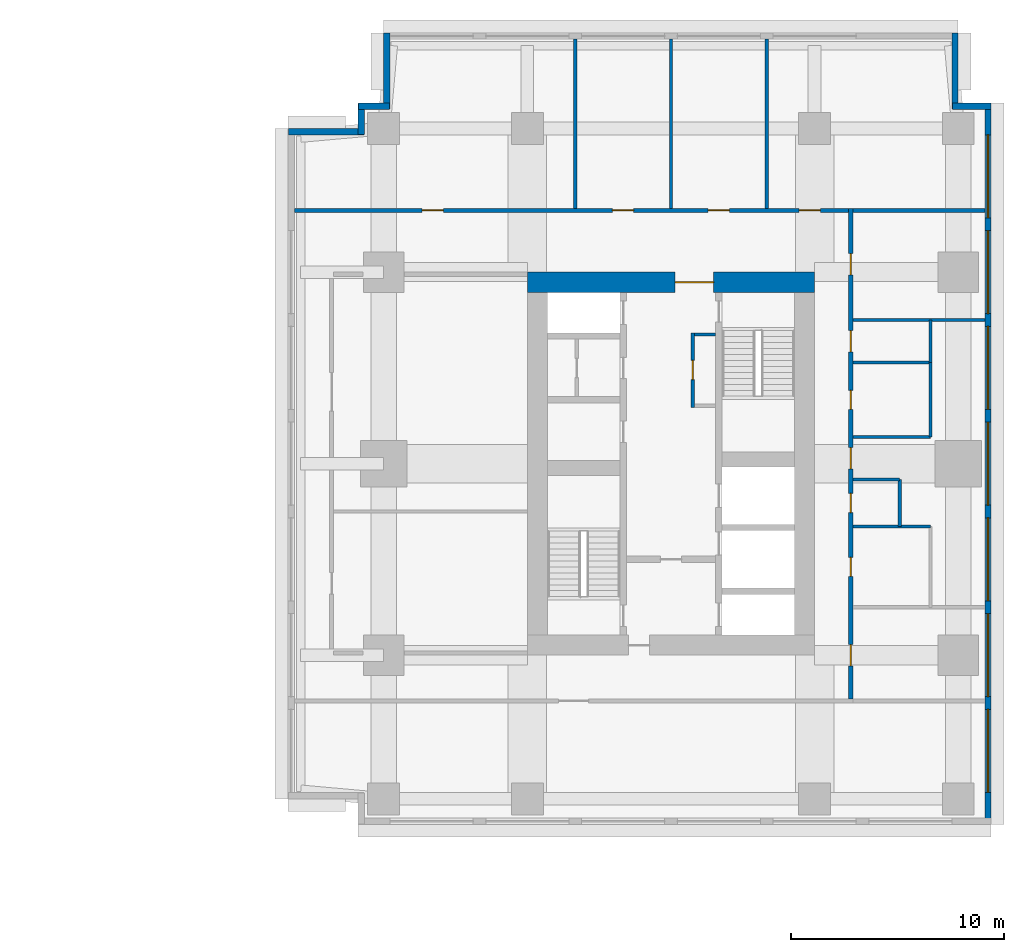
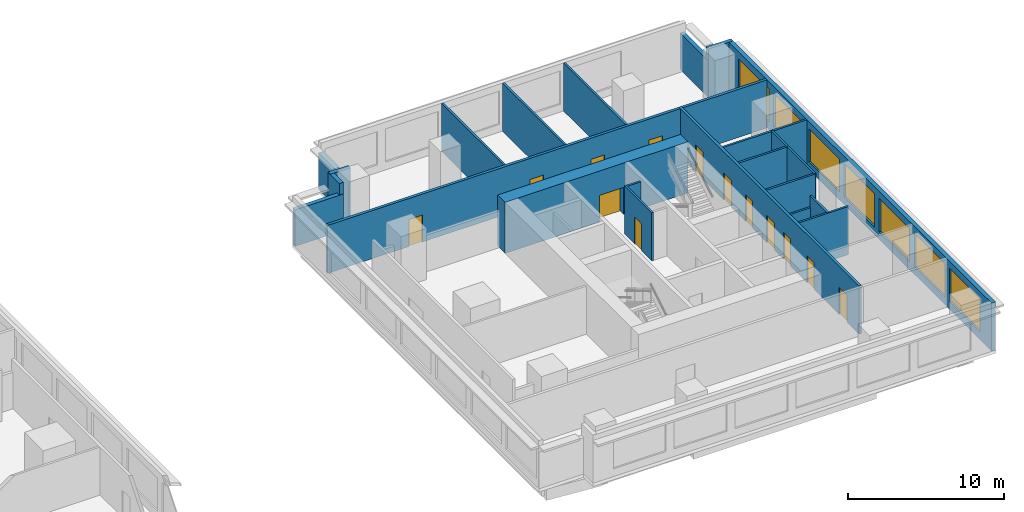
# One storey, part 7 of 10: 24 walls, 13 doors, 7 windows, 20 openings.
"""IFC4 building model written with IfcOpenShell, lengths in metres."""

from ifc_helpers import new_model, si_unit, direction, frame, frame_2d, origin, place, context, subcontext, project, spatial, rectangle, extrude, material, layer, layer_set, type_object, element, fill, save


model = new_model("IFC4")

# Units and contexts
model_context = context("Model", 3, precision=1e-05, world=origin(), true_north=direction((0.0, 1.0)))
body_context = subcontext(model_context, "Body", "Model", "MODEL_VIEW")
ifc_project = project(units=[si_unit("LENGTHUNIT", "METRE"), si_unit("AREAUNIT", "SQUARE_METRE"), si_unit("VOLUMEUNIT", "CUBIC_METRE"), si_unit("PLANEANGLEUNIT", "RADIAN"), si_unit("MASSUNIT", "GRAM", prefix="KILO")], contexts=[model_context])

# Site, building, storey
site_placement = place(None, origin())
site = spatial("IfcSite", under=ifc_project, at=site_placement, CompositionType="ELEMENT")
building_placement = place(site_placement, origin())
building = spatial("IfcBuilding", under=site, at=building_placement, Name="Namib Vertical Campus", CompositionType="ELEMENT")
storey_placement = place(building_placement, frame((0.0, 0.0, 161.0)))
storey = spatial("IfcBuildingStorey", under=building, at=storey_placement, Name="L38", CompositionType="ELEMENT", Elevation=161.0)

# Wall, opening, door
ifc_material_1 = material(Name="Concrete C60/75", Category="concrete")
ifc_layer_1 = layer(ifc_material_1, 0.949951171875)
ifc_layer_set_1 = layer_set([ifc_layer_1], Name="Concrete C60/75")
wall_type_1 = type_object("IfcWallType", Name="Core wall 950", PredefinedType="SHEAR", material=ifc_layer_set_1)
wall_1_placement = place(storey_placement, frame((87.75, 28.77490234375, 0.0), z_axis=(0.0, 0.0, 1.0), x_axis=(-1.0, 0.0, 0.0)))
wall_1 = element("IfcWall", 1, at=wall_1_placement, inside=storey, type_object=wall_type_1, Name="Core wall B L38 3", PredefinedType="SHEAR", context=body_context, shape_type="SweptSolid", body=[
    extrude(rectangle(XDim=13.5, YDim=0.949951171875, at=frame_2d((6.75, 0.0))), origin(), (0.0, 0.0, 1.0), 4.0),
])
opening_1_placement = place(wall_1_placement, frame((4.75, 0.0, 0.0)))
opening_1 = element("IfcOpeningElement", 2, at=opening_1_placement, cuts=wall_1, Name="Opening FD2", PredefinedType="OPENING", context=body_context, shape_type="SweptSolid", body=[
    extrude(rectangle(XDim=1.800048828125, YDim=2.10009765625, at=frame_2d((0.89990234375, 1.050048828125))), frame((0.0, 0.48486328125, 0.0), z_axis=(0.0, -1.0, 0.0), x_axis=(1.0, 0.0, 0.0)), (0.0, 0.0, 1.0), 0.969970703125),
])
ifc_material_2 = material(Name="Steel fire door", Category="steel")
door_type_1 = type_object("IfcDoorType", Name="Fire door double 1800x2100", OperationType="DOUBLE_DOOR_SINGLE_SWING", PredefinedType="DOOR", material=ifc_material_2)
door_1_placement = place(opening_1_placement, origin())
door_1 = element("IfcDoor", 3, at=door_1_placement, inside=storey, type_object=door_type_1, Name="Lift lobby door FD2 B L38", OperationType="DOUBLE_DOOR_SINGLE_SWING", OverallHeight=2.10009765625, OverallWidth=1.800048828125, PredefinedType="DOOR", context=body_context, shape_type="SweptSolid", body=[
    extrude(rectangle(XDim=1.800048828125, YDim=2.10009765625, at=frame_2d((0.89990234375, 1.050048828125))), frame((0.0, 0.02490234375, 0.0), z_axis=(0.0, -1.0, 0.0), x_axis=(1.0, 0.0, 0.0)), (0.0, 0.0, 1.0), 0.050048828125),
])
fill(opening_1, door_1)

# Wall, openings, doors
ifc_material_3 = material(Name="Concrete masonry", Category="masonry")
ifc_layer_2 = layer(ifc_material_3, 0.199951171875)
ifc_layer_set_2 = layer_set([ifc_layer_2], Name="Corridor wall 200")
wall_type_2 = type_object("IfcWallType", Name="Corridor wall 200", PredefinedType="SOLIDWALL", material=ifc_layer_set_2)
wall_2_placement = place(storey_placement, frame((89.449951171875, 9.199951171875, 0.0), z_axis=(0.0, 0.0, 1.0), x_axis=(0.0, 1.0, 0.0)))
wall_2 = element("IfcWall", 4, at=wall_2_placement, inside=storey, type_object=wall_type_2, Name="Corridor wall B L38 CE", PredefinedType="SOLIDWALL", context=body_context, shape_type="SweptSolid", body=[
    extrude(rectangle(XDim=23.050048828125, YDim=0.199951171875, at=frame_2d((11.52490234375, 0.0))), origin(), (0.0, 0.0, 1.0), 3.75),
])
opening_2_placement = place(wall_2_placement, frame((1.550048828125, 0.0, 0.0)))
opening_2 = element("IfcOpeningElement", 5, at=opening_2_placement, cuts=wall_2, Name="Opening CD1", PredefinedType="OPENING", context=body_context, shape_type="SweptSolid", body=[
    extrude(rectangle(XDim=1.0, YDim=2.10009765625, at=frame_2d((0.5, 1.050048828125))), frame((0.0, 0.10986328125, 0.0), z_axis=(0.0, -1.0, 0.0), x_axis=(1.0, 0.0, 0.0)), (0.0, 0.0, 1.0), 0.219970703125),
])
opening_3_placement = place(wall_2_placement, frame((5.75, 0.0, 0.0)))
opening_3 = element("IfcOpeningElement", 6, at=opening_3_placement, cuts=wall_2, Name="Opening CD3", PredefinedType="OPENING", context=body_context, shape_type="SweptSolid", body=[
    extrude(rectangle(XDim=0.89990234375, YDim=2.10009765625, at=frame_2d((0.449951171875, 1.050048828125))), frame((0.0, 0.10986328125, 0.0), z_axis=(0.0, -1.0, 0.0), x_axis=(1.0, 0.0, 0.0)), (0.0, 0.0, 1.0), 0.219970703125),
])
opening_4_placement = place(wall_2_placement, frame((8.75, 0.0, 0.0)))
opening_4 = element("IfcOpeningElement", 7, at=opening_4_placement, cuts=wall_2, Name="Opening CD3", PredefinedType="OPENING", context=body_context, shape_type="SweptSolid", body=[
    extrude(rectangle(XDim=0.89990234375, YDim=2.10009765625, at=frame_2d((0.449951171875, 1.050048828125))), frame((0.0, 0.10986328125, 0.0), z_axis=(0.0, -1.0, 0.0), x_axis=(1.0, 0.0, 0.0)), (0.0, 0.0, 1.0), 0.219970703125),
])
opening_5_placement = place(wall_2_placement, frame((13.60009765625, 0.0, 0.0)))
opening_5 = element("IfcOpeningElement", 8, at=opening_5_placement, cuts=wall_2, Name="Opening CD3", PredefinedType="OPENING", context=body_context, shape_type="SweptSolid", body=[
    extrude(rectangle(XDim=0.89990234375, YDim=2.10009765625, at=frame_2d((0.449951171875, 1.050048828125))), frame((0.0, 0.10986328125, 0.0), z_axis=(0.0, -1.0, 0.0), x_axis=(1.0, 0.0, 0.0)), (0.0, 0.0, 1.0), 0.219970703125),
])
opening_6_placement = place(wall_2_placement, frame((16.300048828125, 0.0, 0.0)))
opening_6 = element("IfcOpeningElement", 9, at=opening_6_placement, cuts=wall_2, Name="Opening CD1", PredefinedType="OPENING", context=body_context, shape_type="SweptSolid", body=[
    extrude(rectangle(XDim=1.0, YDim=2.10009765625, at=frame_2d((0.5, 1.050048828125))), frame((0.0, 0.10986328125, 0.0), z_axis=(0.0, -1.0, 0.0), x_axis=(1.0, 0.0, 0.0)), (0.0, 0.0, 1.0), 0.219970703125),
])
opening_7_placement = place(wall_2_placement, frame((10.800048828125, 0.0, 0.0)))
opening_7 = element("IfcOpeningElement", 10, at=opening_7_placement, cuts=wall_2, Name="Opening CD1", PredefinedType="OPENING", context=body_context, shape_type="SweptSolid", body=[
    extrude(rectangle(XDim=1.0, YDim=2.10009765625, at=frame_2d((0.5, 1.050048828125))), frame((0.0, 0.10986328125, 0.0), z_axis=(0.0, -1.0, 0.0), x_axis=(1.0, 0.0, 0.0)), (0.0, 0.0, 1.0), 0.219970703125),
])
opening_8_placement = place(wall_2_placement, frame((19.925048828125, 0.0, 0.0)))
opening_8 = element("IfcOpeningElement", 11, at=opening_8_placement, cuts=wall_2, Name="Opening CD1", PredefinedType="OPENING", context=body_context, shape_type="SweptSolid", body=[
    extrude(rectangle(XDim=1.0, YDim=2.10009765625, at=frame_2d((0.5, 1.050048828125))), frame((0.0, 0.10986328125, 0.0), z_axis=(0.0, -1.0, 0.0), x_axis=(1.0, 0.0, 0.0)), (0.0, 0.0, 1.0), 0.219970703125),
])
ifc_material_4 = material(Name="Timber fire door leaf", Category="wood")
door_type_2 = type_object("IfcDoorType", Name="Corridor door 1000x2100 20 min", OperationType="SINGLE_SWING_LEFT", PredefinedType="DOOR", material=ifc_material_4)
door_2_placement = place(opening_2_placement, frame((1.0, 0.0, 0.0), z_axis=(0.0, 0.0, 1.0), x_axis=(-1.0, 0.0, 0.0)))
door_2 = element("IfcDoor", 12, at=door_2_placement, inside=storey, type_object=door_type_2, Name="Door CD1 B38-02", OperationType="SINGLE_SWING_RIGHT", OverallHeight=2.10009765625, OverallWidth=1.0, PredefinedType="DOOR", context=body_context, shape_type="SweptSolid", body=[
    extrude(rectangle(XDim=1.0, YDim=2.10009765625, at=frame_2d((0.5, 1.050048828125))), frame((0.0, 0.02490234375, 0.0), z_axis=(0.0, -1.0, 0.0), x_axis=(1.0, 0.0, 0.0)), (0.0, 0.0, 1.0), 0.050048828125),
])
fill(opening_2, door_2)
door_3_placement = place(opening_6_placement, frame((1.0, 0.0, 0.0), z_axis=(0.0, 0.0, 1.0), x_axis=(-1.0, 0.0, 0.0)))
door_3 = element("IfcDoor", 13, at=door_3_placement, inside=storey, type_object=door_type_2, Name="Door CD1 B38-06", OperationType="SINGLE_SWING_RIGHT", OverallHeight=2.10009765625, OverallWidth=1.0, PredefinedType="DOOR", context=body_context, shape_type="SweptSolid", body=[
    extrude(rectangle(XDim=1.0, YDim=2.10009765625, at=frame_2d((0.5, 1.050048828125))), frame((0.0, 0.02490234375, 0.0), z_axis=(0.0, -1.0, 0.0), x_axis=(1.0, 0.0, 0.0)), (0.0, 0.0, 1.0), 0.050048828125),
])
fill(opening_6, door_3)
door_4_placement = place(opening_7_placement, frame((1.0, 0.0, 0.0), z_axis=(0.0, 0.0, 1.0), x_axis=(-1.0, 0.0, 0.0)))
door_4 = element("IfcDoor", 14, at=door_4_placement, inside=storey, type_object=door_type_2, Name="Door CD1 B38-07", OperationType="SINGLE_SWING_RIGHT", OverallHeight=2.10009765625, OverallWidth=1.0, PredefinedType="DOOR", context=body_context, shape_type="SweptSolid", body=[
    extrude(rectangle(XDim=1.0, YDim=2.10009765625, at=frame_2d((0.5, 1.050048828125))), frame((0.0, 0.02490234375, 0.0), z_axis=(0.0, -1.0, 0.0), x_axis=(1.0, 0.0, 0.0)), (0.0, 0.0, 1.0), 0.050048828125),
])
fill(opening_7, door_4)
door_5_placement = place(opening_8_placement, frame((1.0, 0.0, 0.0), z_axis=(0.0, 0.0, 1.0), x_axis=(-1.0, 0.0, 0.0)))
door_5 = element("IfcDoor", 15, at=door_5_placement, inside=storey, type_object=door_type_2, Name="Door CD1 B38-08", OperationType="SINGLE_SWING_RIGHT", OverallHeight=2.10009765625, OverallWidth=1.0, PredefinedType="DOOR", context=body_context, shape_type="SweptSolid", body=[
    extrude(rectangle(XDim=1.0, YDim=2.10009765625, at=frame_2d((0.5, 1.050048828125))), frame((0.0, 0.02490234375, 0.0), z_axis=(0.0, -1.0, 0.0), x_axis=(1.0, 0.0, 0.0)), (0.0, 0.0, 1.0), 0.050048828125),
])
fill(opening_8, door_5)
ifc_material_5 = material(Name="Timber fire door leaf", Category="wood")
door_type_3 = type_object("IfcDoorType", Name="Corridor toilet door 900x2100 20 min", OperationType="SINGLE_SWING_LEFT", PredefinedType="DOOR", material=ifc_material_5)
door_6_placement = place(opening_3_placement, frame((0.89990234375, 0.0, 0.0), z_axis=(0.0, 0.0, 1.0), x_axis=(-1.0, 0.0, 0.0)))
door_6 = element("IfcDoor", 16, at=door_6_placement, inside=storey, type_object=door_type_3, Name="Door CD3 B38-03", OperationType="SINGLE_SWING_RIGHT", OverallHeight=2.10009765625, OverallWidth=0.89990234375, PredefinedType="DOOR", context=body_context, shape_type="SweptSolid", body=[
    extrude(rectangle(XDim=0.89990234375, YDim=2.10009765625, at=frame_2d((0.449951171875, 1.050048828125))), frame((0.0, 0.02490234375, 0.0), z_axis=(0.0, -1.0, 0.0), x_axis=(1.0, 0.0, 0.0)), (0.0, 0.0, 1.0), 0.050048828125),
])
fill(opening_3, door_6)
door_7_placement = place(opening_4_placement, frame((0.89990234375, 0.0, 0.0), z_axis=(0.0, 0.0, 1.0), x_axis=(-1.0, 0.0, 0.0)))
door_7 = element("IfcDoor", 17, at=door_7_placement, inside=storey, type_object=door_type_3, Name="Door CD3 B38-04", OperationType="SINGLE_SWING_RIGHT", OverallHeight=2.10009765625, OverallWidth=0.89990234375, PredefinedType="DOOR", context=body_context, shape_type="SweptSolid", body=[
    extrude(rectangle(XDim=0.89990234375, YDim=2.10009765625, at=frame_2d((0.449951171875, 1.050048828125))), frame((0.0, 0.02490234375, 0.0), z_axis=(0.0, -1.0, 0.0), x_axis=(1.0, 0.0, 0.0)), (0.0, 0.0, 1.0), 0.050048828125),
])
fill(opening_4, door_7)
door_8_placement = place(opening_5_placement, frame((0.89990234375, 0.0, 0.0), z_axis=(0.0, 0.0, 1.0), x_axis=(-1.0, 0.0, 0.0)))
door_8 = element("IfcDoor", 18, at=door_8_placement, inside=storey, type_object=door_type_3, Name="Door CD3 B38-05", OperationType="SINGLE_SWING_RIGHT", OverallHeight=2.10009765625, OverallWidth=0.89990234375, PredefinedType="DOOR", context=body_context, shape_type="SweptSolid", body=[
    extrude(rectangle(XDim=0.89990234375, YDim=2.10009765625, at=frame_2d((0.449951171875, 1.050048828125))), frame((0.0, 0.02490234375, 0.0), z_axis=(0.0, -1.0, 0.0), x_axis=(1.0, 0.0, 0.0)), (0.0, 0.0, 1.0), 0.050048828125),
])
fill(opening_5, door_8)

wall_3_placement = place(storey_placement, frame((89.35009765625, 32.14990234375, 0.0), z_axis=(0.0, 0.0, 1.0), x_axis=(-1.0, 0.0, 0.0)))
wall_3 = element("IfcWall", 19, at=wall_3_placement, inside=storey, type_object=wall_type_2, Name="Corridor wall B L38 CN", PredefinedType="SOLIDWALL", context=body_context, shape_type="SweptSolid", body=[
    extrude(rectangle(XDim=26.050048828125, YDim=0.199951171875, at=frame_2d((13.02490234375, 0.0))), origin(), (0.0, 0.0, 1.0), 3.75),
])
opening_9_placement = place(wall_3_placement, frame((19.050048828125, 0.0, 0.0)))
opening_9 = element("IfcOpeningElement", 20, at=opening_9_placement, cuts=wall_3, Name="Opening CD1", PredefinedType="OPENING", context=body_context, shape_type="SweptSolid", body=[
    extrude(rectangle(XDim=1.0, YDim=2.10009765625, at=frame_2d((0.5, 1.050048828125))), frame((0.0, 0.10986328125, 0.0), z_axis=(0.0, -1.0, 0.0), x_axis=(1.0, 0.0, 0.0)), (0.0, 0.0, 1.0), 0.219970703125),
])
opening_10_placement = place(wall_3_placement, frame((10.10009765625, 0.0, 0.0)))
opening_10 = element("IfcOpeningElement", 21, at=opening_10_placement, cuts=wall_3, Name="Opening CD1", PredefinedType="OPENING", context=body_context, shape_type="SweptSolid", body=[
    extrude(rectangle(XDim=1.0, YDim=2.10009765625, at=frame_2d((0.5, 1.050048828125))), frame((0.0, 0.10986328125, 0.0), z_axis=(0.0, -1.0, 0.0), x_axis=(1.0, 0.0, 0.0)), (0.0, 0.0, 1.0), 0.219970703125),
])
opening_11_placement = place(wall_3_placement, frame((5.60009765625, 0.0, 0.0)))
opening_11 = element("IfcOpeningElement", 22, at=opening_11_placement, cuts=wall_3, Name="Opening CD1", PredefinedType="OPENING", context=body_context, shape_type="SweptSolid", body=[
    extrude(rectangle(XDim=1.0, YDim=2.10009765625, at=frame_2d((0.5, 1.050048828125))), frame((0.0, 0.10986328125, 0.0), z_axis=(0.0, -1.0, 0.0), x_axis=(1.0, 0.0, 0.0)), (0.0, 0.0, 1.0), 0.219970703125),
])
opening_12_placement = place(wall_3_placement, frame((1.324951171875, 0.0, 0.0)))
opening_12 = element("IfcOpeningElement", 23, at=opening_12_placement, cuts=wall_3, Name="Opening CD1", PredefinedType="OPENING", context=body_context, shape_type="SweptSolid", body=[
    extrude(rectangle(XDim=1.0, YDim=2.10009765625, at=frame_2d((0.5, 1.050048828125))), frame((0.0, 0.10986328125, 0.0), z_axis=(0.0, -1.0, 0.0), x_axis=(1.0, 0.0, 0.0)), (0.0, 0.0, 1.0), 0.219970703125),
])
door_9_placement = place(opening_9_placement, frame((1.0, 0.0, 0.0), z_axis=(0.0, 0.0, 1.0), x_axis=(-1.0, 0.0, 0.0)))
door_9 = element("IfcDoor", 24, at=door_9_placement, inside=storey, type_object=door_type_2, Name="Door CD1 B38-09", OperationType="SINGLE_SWING_RIGHT", OverallHeight=2.10009765625, OverallWidth=1.0, PredefinedType="DOOR", context=body_context, shape_type="SweptSolid", body=[
    extrude(rectangle(XDim=1.0, YDim=2.10009765625, at=frame_2d((0.5, 1.050048828125))), frame((0.0, 0.02490234375, 0.0), z_axis=(0.0, -1.0, 0.0), x_axis=(1.0, 0.0, 0.0)), (0.0, 0.0, 1.0), 0.050048828125),
])
fill(opening_9, door_9)
door_10_placement = place(opening_10_placement, frame((1.0, 0.0, 0.0), z_axis=(0.0, 0.0, 1.0), x_axis=(-1.0, 0.0, 0.0)))
door_10 = element("IfcDoor", 25, at=door_10_placement, inside=storey, type_object=door_type_2, Name="Door CD1 B38-10", OperationType="SINGLE_SWING_RIGHT", OverallHeight=2.10009765625, OverallWidth=1.0, PredefinedType="DOOR", context=body_context, shape_type="SweptSolid", body=[
    extrude(rectangle(XDim=1.0, YDim=2.10009765625, at=frame_2d((0.5, 1.050048828125))), frame((0.0, 0.02490234375, 0.0), z_axis=(0.0, -1.0, 0.0), x_axis=(1.0, 0.0, 0.0)), (0.0, 0.0, 1.0), 0.050048828125),
])
fill(opening_10, door_10)
door_11_placement = place(opening_11_placement, frame((1.0, 0.0, 0.0), z_axis=(0.0, 0.0, 1.0), x_axis=(-1.0, 0.0, 0.0)))
door_11 = element("IfcDoor", 26, at=door_11_placement, inside=storey, type_object=door_type_2, Name="Door CD1 B38-11", OperationType="SINGLE_SWING_RIGHT", OverallHeight=2.10009765625, OverallWidth=1.0, PredefinedType="DOOR", context=body_context, shape_type="SweptSolid", body=[
    extrude(rectangle(XDim=1.0, YDim=2.10009765625, at=frame_2d((0.5, 1.050048828125))), frame((0.0, 0.02490234375, 0.0), z_axis=(0.0, -1.0, 0.0), x_axis=(1.0, 0.0, 0.0)), (0.0, 0.0, 1.0), 0.050048828125),
])
fill(opening_11, door_11)
door_12_placement = place(opening_12_placement, frame((1.0, 0.0, 0.0), z_axis=(0.0, 0.0, 1.0), x_axis=(-1.0, 0.0, 0.0)))
door_12 = element("IfcDoor", 27, at=door_12_placement, inside=storey, type_object=door_type_2, Name="Door CD1 B38-12", OperationType="SINGLE_SWING_LEFT", OverallHeight=2.10009765625, OverallWidth=1.0, PredefinedType="DOOR", context=body_context, shape_type="SweptSolid", body=[
    extrude(rectangle(XDim=1.0, YDim=2.10009765625, at=frame_2d((0.5, 1.050048828125))), frame((0.0, 0.02490234375, 0.0), z_axis=(0.0, -1.0, 0.0), x_axis=(1.0, 0.0, 0.0)), (0.0, 0.0, 1.0), 0.050048828125),
])
fill(opening_12, door_12)

# Wall
wall_4_placement = place(storey_placement, frame((89.550048828125, 32.14990234375, 0.0), z_axis=(0.0, 0.0, 1.0), x_axis=(1.0, 0.0, 0.0)))
element("IfcWall", 28, at=wall_4_placement, inside=storey, type_object=wall_type_2, Name="Partition B L38 BNE", PredefinedType="SOLIDWALL", context=body_context, shape_type="SweptSolid", body=[
    extrude(rectangle(XDim=6.199951171875, YDim=0.199951171875, at=frame_2d((3.10009765625, 0.0))), origin(), (0.0, 0.0, 1.0), 3.75),
])

# Wall, openings, windows
ifc_material_6 = material(Name="Concrete C40/50", Category="concrete")
ifc_layer_3 = layer(ifc_material_6, 0.300048828125)
ifc_layer_set_3 = layer_set([ifc_layer_3], Name="Concrete C40/50")
wall_type_3 = type_object("IfcWallType", Name="External wall 300 board-marked concrete", PredefinedType="STANDARD", material=ifc_layer_set_3)
wall_5_placement = place(storey_placement, frame((95.89990234375, 3.320068359375, 0.0), z_axis=(0.0, 0.0, 1.0), x_axis=(0.0, 1.0, 0.0)))
wall_5 = element("IfcWall", 29, at=wall_5_placement, inside=storey, type_object=wall_type_3, Name="External wall L38 F04", PredefinedType="STANDARD", context=body_context, shape_type="SweptSolid", body=[
    extrude(rectangle(XDim=33.85986328125, YDim=0.300048828125, at=frame_2d((16.929931640625, 0.0))), origin(), (0.0, 0.0, 1.0), 3.75),
])
opening_13_placement = place(wall_5_placement, frame((1.47998046875, 0.0, 0.60009765625)))
opening_13 = element("IfcOpeningElement", 30, at=opening_13_placement, cuts=wall_5, Name="Opening W2", PredefinedType="OPENING", context=body_context, shape_type="SweptSolid", body=[
    extrude(rectangle(XDim=3.89990234375, YDim=2.60009765625, at=frame_2d((1.949951171875, 1.300048828125))), frame((0.0, 0.159912109375, 0.0), z_axis=(0.0, -1.0, 0.0), x_axis=(1.0, 0.0, 0.0)), (0.0, 0.0, 1.0), 0.320068359375),
])
opening_14_placement = place(wall_5_placement, frame((5.97998046875, 0.0, 0.60009765625)))
opening_14 = element("IfcOpeningElement", 31, at=opening_14_placement, cuts=wall_5, Name="Opening W2", PredefinedType="OPENING", context=body_context, shape_type="SweptSolid", body=[
    extrude(rectangle(XDim=3.89990234375, YDim=2.60009765625, at=frame_2d((1.949951171875, 1.300048828125))), frame((0.0, 0.159912109375, 0.0), z_axis=(0.0, -1.0, 0.0), x_axis=(1.0, 0.0, 0.0)), (0.0, 0.0, 1.0), 0.320068359375),
])
opening_15_placement = place(wall_5_placement, frame((10.47998046875, 0.0, 0.60009765625)))
opening_15 = element("IfcOpeningElement", 32, at=opening_15_placement, cuts=wall_5, Name="Opening W2", PredefinedType="OPENING", context=body_context, shape_type="SweptSolid", body=[
    extrude(rectangle(XDim=3.89990234375, YDim=2.60009765625, at=frame_2d((1.949951171875, 1.300048828125))), frame((0.0, 0.159912109375, 0.0), z_axis=(0.0, -1.0, 0.0), x_axis=(1.0, 0.0, 0.0)), (0.0, 0.0, 1.0), 0.320068359375),
])
opening_16_placement = place(wall_5_placement, frame((14.97998046875, 0.0, 0.60009765625)))
opening_16 = element("IfcOpeningElement", 33, at=opening_16_placement, cuts=wall_5, Name="Opening W2", PredefinedType="OPENING", context=body_context, shape_type="SweptSolid", body=[
    extrude(rectangle(XDim=3.89990234375, YDim=2.60009765625, at=frame_2d((1.949951171875, 1.300048828125))), frame((0.0, 0.159912109375, 0.0), z_axis=(0.0, -1.0, 0.0), x_axis=(1.0, 0.0, 0.0)), (0.0, 0.0, 1.0), 0.320068359375),
])
opening_17_placement = place(wall_5_placement, frame((19.47998046875, 0.0, 0.60009765625)))
opening_17 = element("IfcOpeningElement", 34, at=opening_17_placement, cuts=wall_5, Name="Opening W2", PredefinedType="OPENING", context=body_context, shape_type="SweptSolid", body=[
    extrude(rectangle(XDim=3.89990234375, YDim=2.60009765625, at=frame_2d((1.949951171875, 1.300048828125))), frame((0.0, 0.159912109375, 0.0), z_axis=(0.0, -1.0, 0.0), x_axis=(1.0, 0.0, 0.0)), (0.0, 0.0, 1.0), 0.320068359375),
])
opening_18_placement = place(wall_5_placement, frame((23.97998046875, 0.0, 0.60009765625)))
opening_18 = element("IfcOpeningElement", 35, at=opening_18_placement, cuts=wall_5, Name="Opening W2", PredefinedType="OPENING", context=body_context, shape_type="SweptSolid", body=[
    extrude(rectangle(XDim=3.89990234375, YDim=2.60009765625, at=frame_2d((1.949951171875, 1.300048828125))), frame((0.0, 0.159912109375, 0.0), z_axis=(0.0, -1.0, 0.0), x_axis=(1.0, 0.0, 0.0)), (0.0, 0.0, 1.0), 0.320068359375),
])
opening_19_placement = place(wall_5_placement, frame((28.47998046875, 0.0, 0.60009765625)))
opening_19 = element("IfcOpeningElement", 36, at=opening_19_placement, cuts=wall_5, Name="Opening W2", PredefinedType="OPENING", context=body_context, shape_type="SweptSolid", body=[
    extrude(rectangle(XDim=3.89990234375, YDim=2.60009765625, at=frame_2d((1.949951171875, 1.300048828125))), frame((0.0, 0.159912109375, 0.0), z_axis=(0.0, -1.0, 0.0), x_axis=(1.0, 0.0, 0.0)), (0.0, 0.0, 1.0), 0.320068359375),
])
ifc_material_7 = material(Name="Dark tinted glass in black aluminium frame", Category="aluminium")
window_type = type_object("IfcWindowType", Name="Ribbon window 3900x2600", PartitioningType="SINGLE_PANEL", PredefinedType="WINDOW", material=ifc_material_7)
window_1_placement = place(opening_13_placement, origin())
window_1 = element("IfcWindow", 37, at=window_1_placement, inside=storey, type_object=window_type, Name="Window W2 L38 F04-1", OverallHeight=2.60009765625, OverallWidth=3.89990234375, PartitioningType="SINGLE_PANEL", PredefinedType="WINDOW", context=body_context, shape_type="SweptSolid", body=[
    extrude(rectangle(XDim=3.89990234375, YDim=2.60009765625, at=frame_2d((1.949951171875, 1.300048828125))), frame((0.0, 0.030029296875, 0.0), z_axis=(0.0, -1.0, 0.0), x_axis=(1.0, 0.0, 0.0)), (0.0, 0.0, 1.0), 0.06005859375),
])
fill(opening_13, window_1)
window_2_placement = place(opening_14_placement, origin())
window_2 = element("IfcWindow", 38, at=window_2_placement, inside=storey, type_object=window_type, Name="Window W2 L38 F04-2", OverallHeight=2.60009765625, OverallWidth=3.89990234375, PartitioningType="SINGLE_PANEL", PredefinedType="WINDOW", context=body_context, shape_type="SweptSolid", body=[
    extrude(rectangle(XDim=3.89990234375, YDim=2.60009765625, at=frame_2d((1.949951171875, 1.300048828125))), frame((0.0, 0.030029296875, 0.0), z_axis=(0.0, -1.0, 0.0), x_axis=(1.0, 0.0, 0.0)), (0.0, 0.0, 1.0), 0.06005859375),
])
fill(opening_14, window_2)
window_3_placement = place(opening_15_placement, origin())
window_3 = element("IfcWindow", 39, at=window_3_placement, inside=storey, type_object=window_type, Name="Window W2 L38 F04-3", OverallHeight=2.60009765625, OverallWidth=3.89990234375, PartitioningType="SINGLE_PANEL", PredefinedType="WINDOW", context=body_context, shape_type="SweptSolid", body=[
    extrude(rectangle(XDim=3.89990234375, YDim=2.60009765625, at=frame_2d((1.949951171875, 1.300048828125))), frame((0.0, 0.030029296875, 0.0), z_axis=(0.0, -1.0, 0.0), x_axis=(1.0, 0.0, 0.0)), (0.0, 0.0, 1.0), 0.06005859375),
])
fill(opening_15, window_3)
window_4_placement = place(opening_16_placement, origin())
window_4 = element("IfcWindow", 40, at=window_4_placement, inside=storey, type_object=window_type, Name="Window W2 L38 F04-4", OverallHeight=2.60009765625, OverallWidth=3.89990234375, PartitioningType="SINGLE_PANEL", PredefinedType="WINDOW", context=body_context, shape_type="SweptSolid", body=[
    extrude(rectangle(XDim=3.89990234375, YDim=2.60009765625, at=frame_2d((1.949951171875, 1.300048828125))), frame((0.0, 0.030029296875, 0.0), z_axis=(0.0, -1.0, 0.0), x_axis=(1.0, 0.0, 0.0)), (0.0, 0.0, 1.0), 0.06005859375),
])
fill(opening_16, window_4)
window_5_placement = place(opening_17_placement, origin())
window_5 = element("IfcWindow", 41, at=window_5_placement, inside=storey, type_object=window_type, Name="Window W2 L38 F04-5", OverallHeight=2.60009765625, OverallWidth=3.89990234375, PartitioningType="SINGLE_PANEL", PredefinedType="WINDOW", context=body_context, shape_type="SweptSolid", body=[
    extrude(rectangle(XDim=3.89990234375, YDim=2.60009765625, at=frame_2d((1.949951171875, 1.300048828125))), frame((0.0, 0.030029296875, 0.0), z_axis=(0.0, -1.0, 0.0), x_axis=(1.0, 0.0, 0.0)), (0.0, 0.0, 1.0), 0.06005859375),
])
fill(opening_17, window_5)
window_6_placement = place(opening_18_placement, origin())
window_6 = element("IfcWindow", 42, at=window_6_placement, inside=storey, type_object=window_type, Name="Window W2 L38 F04-6", OverallHeight=2.60009765625, OverallWidth=3.89990234375, PartitioningType="SINGLE_PANEL", PredefinedType="WINDOW", context=body_context, shape_type="SweptSolid", body=[
    extrude(rectangle(XDim=3.89990234375, YDim=2.60009765625, at=frame_2d((1.949951171875, 1.300048828125))), frame((0.0, 0.030029296875, 0.0), z_axis=(0.0, -1.0, 0.0), x_axis=(1.0, 0.0, 0.0)), (0.0, 0.0, 1.0), 0.06005859375),
])
fill(opening_18, window_6)
window_7_placement = place(opening_19_placement, origin())
window_7 = element("IfcWindow", 43, at=window_7_placement, inside=storey, type_object=window_type, Name="Window W2 L38 F04-7", OverallHeight=2.60009765625, OverallWidth=3.89990234375, PartitioningType="SINGLE_PANEL", PredefinedType="WINDOW", context=body_context, shape_type="SweptSolid", body=[
    extrude(rectangle(XDim=3.89990234375, YDim=2.60009765625, at=frame_2d((1.949951171875, 1.300048828125))), frame((0.0, 0.030029296875, 0.0), z_axis=(0.0, -1.0, 0.0), x_axis=(1.0, 0.0, 0.0)), (0.0, 0.0, 1.0), 0.06005859375),
])
fill(opening_19, window_7)

# Walls
wall_6_placement = place(storey_placement, frame((96.030029296875, 37.050048828125, 0.0), z_axis=(0.0, 0.0, 1.0), x_axis=(-1.0, 0.0, 0.0)))
element("IfcWall", 44, at=wall_6_placement, inside=storey, type_object=wall_type_3, Name="External wall L38 F05", PredefinedType="STANDARD", context=body_context, shape_type="SweptSolid", body=[
    extrude(rectangle(XDim=1.81005859375, YDim=0.300048828125, at=frame_2d((0.905029296875, 0.0))), origin(), (0.0, 0.0, 1.0), 3.75),
])
for number, where, z_axis, x_axis, name in (
    (45, (94.35009765625, 36.919921875, 0.0), (0.0, 0.0, 1.0), (0.0, 1.0, 0.0), "External wall L38 F06"),
    (46, (67.64990234375, 40.47998046875, 0.0), (0.0, 0.0, 1.0), (0.0, -1.0, 0.0), "External wall L38 F08"),
):
    element("IfcWall", number, at=place(storey_placement, frame(where, z_axis=z_axis, x_axis=x_axis)), inside=storey, type_object=wall_type_3, Name=name, PredefinedType="STANDARD", context=body_context, shape_type="SweptSolid", body=[
        extrude(rectangle(XDim=3.56005859375, YDim=0.300048828125, at=frame_2d((1.780029296875, 0.0))), origin(), (0.0, 0.0, 1.0), 2.85009765625),
    ])
for number, where, z_axis, x_axis, name in (
    (47, (67.780029296875, 37.050048828125, 0.0), (0.0, 0.0, 1.0), (-1.0, 0.0, 0.0), "External wall L38 F09"),
    (48, (66.449951171875, 37.179931640625, 0.0), (0.0, 0.0, 1.0), (0.0, -1.0, 0.0), "External wall L38 F10"),
):
    element("IfcWall", number, at=place(storey_placement, frame(where, z_axis=z_axis, x_axis=x_axis)), inside=storey, type_object=wall_type_3, Name=name, PredefinedType="STANDARD", context=body_context, shape_type="SweptSolid", body=[
        extrude(rectangle(XDim=1.4599609375, YDim=0.300048828125, at=frame_2d((0.72998046875, 0.0))), origin(), (0.0, 0.0, 1.0), 3.75),
    ])
wall_7_placement = place(storey_placement, frame((66.580078125, 35.85009765625, 0.0), z_axis=(0.0, 0.0, 1.0), x_axis=(-1.0, 0.0, 0.0)))
element("IfcWall", 49, at=wall_7_placement, inside=storey, type_object=wall_type_3, Name="External wall L38 F11", PredefinedType="STANDARD", context=body_context, shape_type="SweptSolid", body=[
    extrude(rectangle(XDim=3.56005859375, YDim=0.300048828125, at=frame_2d((1.780029296875, 0.0))), origin(), (0.0, 0.0, 1.0), 2.85009765625),
])

# Wall, opening, door
ifc_material_8 = material(Name="Gypsum board on steel studs", Category="steel")
ifc_layer_4 = layer(ifc_material_8, 0.14990234375)
ifc_layer_set_4 = layer_set([ifc_layer_4], Name="Gypsum board on steel studs")
wall_type_4 = type_object("IfcWallType", Name="Partition 150", PredefinedType="PARTITIONING", material=ifc_layer_set_4)
wall_8_placement = place(storey_placement, frame((82.02490234375, 22.89990234375, 0.0), z_axis=(0.0, 0.0, 1.0), x_axis=(0.0, 1.0, 0.0)))
wall_8 = element("IfcWall", 50, at=wall_8_placement, inside=storey, type_object=wall_type_4, Name="Partition B L38 Staff pantry front", PredefinedType="PARTITIONING", context=body_context, shape_type="SweptSolid", body=[
    extrude(rectangle(XDim=3.5, YDim=0.14990234375, at=frame_2d((1.75, 0.0))), origin(), (0.0, 0.0, 1.0), 3.75),
])
opening_20_placement = place(wall_8_placement, frame((1.300048828125, 0.0, 0.0)))
opening_20 = element("IfcOpeningElement", 51, at=opening_20_placement, cuts=wall_8, Name="Opening D3", PredefinedType="OPENING", context=body_context, shape_type="SweptSolid", body=[
    extrude(rectangle(XDim=0.89990234375, YDim=2.10009765625, at=frame_2d((0.449951171875, 1.050048828125))), frame((0.0, 0.0849609375, 0.0), z_axis=(0.0, -1.0, 0.0), x_axis=(1.0, 0.0, 0.0)), (0.0, 0.0, 1.0), 0.169921875),
])
ifc_material_9 = material(Name="Timber door leaf", Category="wood")
door_type_4 = type_object("IfcDoorType", Name="Toilet door 900x2100", OperationType="SINGLE_SWING_LEFT", PredefinedType="DOOR", material=ifc_material_9)
door_13_placement = place(opening_20_placement, frame((0.89990234375, 0.0, 0.0), z_axis=(0.0, 0.0, 1.0), x_axis=(-1.0, 0.0, 0.0)))
door_13 = element("IfcDoor", 52, at=door_13_placement, inside=storey, type_object=door_type_4, Name="Door D3 Staff pantry B L38", OperationType="SINGLE_SWING_RIGHT", OverallHeight=2.10009765625, OverallWidth=0.89990234375, PredefinedType="DOOR", context=body_context, shape_type="SweptSolid", body=[
    extrude(rectangle(XDim=0.89990234375, YDim=2.10009765625, at=frame_2d((0.449951171875, 1.050048828125))), frame((0.0, 0.02490234375, 0.0), z_axis=(0.0, -1.0, 0.0), x_axis=(1.0, 0.0, 0.0)), (0.0, 0.0, 1.0), 0.050048828125),
])
fill(opening_20, door_13)

# Walls
wall_9_placement = place(storey_placement, frame((82.10009765625, 26.324951171875, 0.0), z_axis=(0.0, 0.0, 1.0), x_axis=(1.0, 0.0, 0.0)))
element("IfcWall", 53, at=wall_9_placement, inside=storey, type_object=wall_type_4, Name="Partition B L38 Staff pantry end 2", PredefinedType="PARTITIONING", context=body_context, shape_type="SweptSolid", body=[
    extrude(rectangle(XDim=1.0, YDim=0.14990234375, at=frame_2d((0.5, 0.0))), origin(), (0.0, 0.0, 1.0), 3.75),
])
for number, where, z_axis, x_axis, name in (
    (54, (76.5, 32.25, 0.0), (0.0, 0.0, 1.0), (0.0, 1.0, 0.0), "Partition B L38 PN1"),
    (55, (81.0, 32.25, 0.0), (0.0, 0.0, 1.0), (0.0, 1.0, 0.0), "Partition B L38 PN2"),
    (56, (85.5, 32.25, 0.0), (0.0, 0.0, 1.0), (0.0, 1.0, 0.0), "Partition B L38 PN3"),
):
    element("IfcWall", number, at=place(storey_placement, frame(where, z_axis=z_axis, x_axis=x_axis)), inside=storey, type_object=wall_type_4, Name=name, PredefinedType="PARTITIONING", context=body_context, shape_type="SweptSolid", body=[
        extrude(rectangle(XDim=7.949951171875, YDim=0.14990234375, at=frame_2d((3.97509765625, 0.0))), origin(), (0.0, 0.0, 1.0), 3.75),
    ])
wall_10_placement = place(storey_placement, frame((89.550048828125, 27.0, 0.0), z_axis=(0.0, 0.0, 1.0), x_axis=(1.0, 0.0, 0.0)))
element("IfcWall", 57, at=wall_10_placement, inside=storey, type_object=wall_type_4, Name="Partition B L38 PE2", PredefinedType="PARTITIONING", context=body_context, shape_type="SweptSolid", body=[
    extrude(rectangle(XDim=6.199951171875, YDim=0.14990234375, at=frame_2d((3.10009765625, 0.0))), origin(), (0.0, 0.0, 1.0), 3.75),
])
wall_11_placement = place(storey_placement, frame((89.550048828125, 17.300048828125, 0.0), z_axis=(0.0, 0.0, 1.0), x_axis=(1.0, 0.0, 0.0)))
element("IfcWall", 58, at=wall_11_placement, inside=storey, type_object=wall_type_4, Name="Partition B L38 WR1", PredefinedType="PARTITIONING", context=body_context, shape_type="SweptSolid", body=[
    extrude(rectangle(XDim=3.64990234375, YDim=0.14990234375, at=frame_2d((1.824951171875, 0.0))), origin(), (0.0, 0.0, 1.0), 3.75),
])
wall_12_placement = place(storey_placement, frame((89.550048828125, 19.5, 0.0), z_axis=(0.0, 0.0, 1.0), x_axis=(1.0, 0.0, 0.0)))
element("IfcWall", 59, at=wall_12_placement, inside=storey, type_object=wall_type_4, Name="Partition B L38 WR2", PredefinedType="PARTITIONING", context=body_context, shape_type="SweptSolid", body=[
    extrude(rectangle(XDim=2.199951171875, YDim=0.14990234375, at=frame_2d((1.10009765625, 0.0))), origin(), (0.0, 0.0, 1.0), 2.85009765625),
])
for number, where, z_axis, x_axis, name in (
    (60, (89.550048828125, 21.5, 0.0), (0.0, 0.0, 1.0), (1.0, 0.0, 0.0), "Partition B L38 WR3"),
    (61, (89.550048828125, 25.0, 0.0), (0.0, 0.0, 1.0), (1.0, 0.0, 0.0), "Partition B L38 WR4"),
):
    element("IfcWall", number, at=place(storey_placement, frame(where, z_axis=z_axis, x_axis=x_axis)), inside=storey, type_object=wall_type_4, Name=name, PredefinedType="PARTITIONING", context=body_context, shape_type="SweptSolid", body=[
        extrude(rectangle(XDim=3.64990234375, YDim=0.14990234375, at=frame_2d((1.824951171875, 0.0))), origin(), (0.0, 0.0, 1.0), 3.75),
    ])
wall_13_placement = place(storey_placement, frame((91.75, 17.300048828125, 0.0), z_axis=(0.0, 0.0, 1.0), x_axis=(0.0, 1.0, 0.0)))
element("IfcWall", 62, at=wall_13_placement, inside=storey, type_object=wall_type_4, Name="Partition B L38 WB2", PredefinedType="PARTITIONING", context=body_context, shape_type="SweptSolid", body=[
    extrude(rectangle(XDim=2.199951171875, YDim=0.14990234375, at=frame_2d((1.10009765625, 0.0))), origin(), (0.0, 0.0, 1.0), 3.75),
])
wall_14_placement = place(storey_placement, frame((93.199951171875, 21.5, 0.0), z_axis=(0.0, 0.0, 1.0), x_axis=(0.0, 1.0, 0.0)))
element("IfcWall", 63, at=wall_14_placement, inside=storey, type_object=wall_type_4, Name="Partition B L38 WB3", PredefinedType="PARTITIONING", context=body_context, shape_type="SweptSolid", body=[
    extrude(rectangle(XDim=3.5, YDim=0.14990234375, at=frame_2d((1.75, 0.0))), origin(), (0.0, 0.0, 1.0), 3.75),
])
wall_15_placement = place(storey_placement, frame((93.199951171875, 25.0, 0.0), z_axis=(0.0, 0.0, 1.0), x_axis=(0.0, 1.0, 0.0)))
element("IfcWall", 64, at=wall_15_placement, inside=storey, type_object=wall_type_4, Name="Partition B L38 WB4", PredefinedType="PARTITIONING", context=body_context, shape_type="SweptSolid", body=[
    extrude(rectangle(XDim=2.0, YDim=0.14990234375, at=frame_2d((1.0, 0.0))), origin(), (0.0, 0.0, 1.0), 3.75),
])

save(model, "model.ifc")
